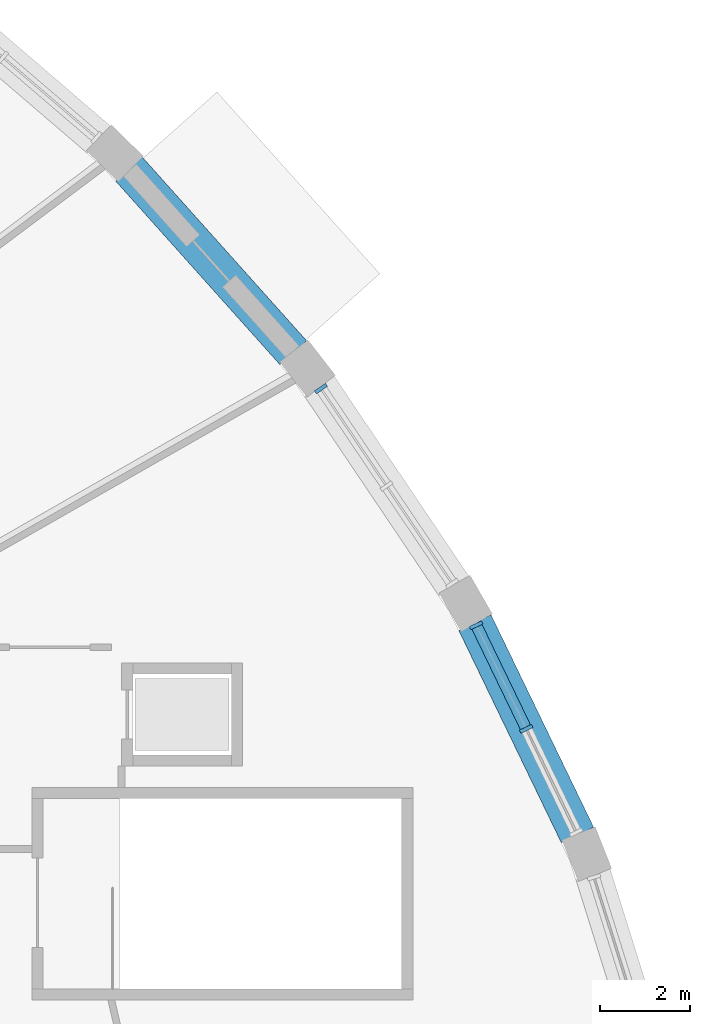
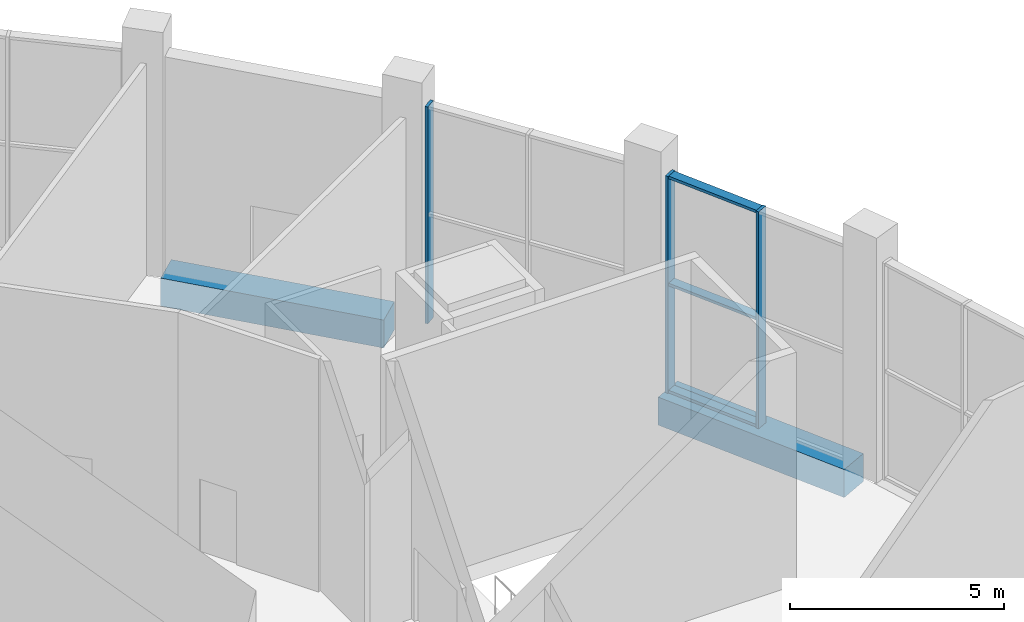
# One storey, part 14 of 33: 6 members, 2 beams, 2 elements without a shape of their own.
"""IFC4 building model written with IfcOpenShell, lengths in metres."""

from ifc_helpers import new_model, si_unit, direction, frame, origin, origin_2d, place, context, subcontext, project, spatial, rectangle, extrude, material, material_profile, profile_set, type_object, element, aggregate, save


model = new_model("IFC4")

# Units and contexts
model_context = context("Model", 3, precision=1e-05, world=origin(), true_north=direction((0.0, 1.0)))
body_context = subcontext(model_context, "Body", "Model", "MODEL_VIEW")
ifc_project = project(units=[si_unit("LENGTHUNIT", "METRE"), si_unit("AREAUNIT", "SQUARE_METRE"), si_unit("VOLUMEUNIT", "CUBIC_METRE"), si_unit("PLANEANGLEUNIT", "RADIAN"), si_unit("MASSUNIT", "GRAM", prefix="KILO")], contexts=[model_context])

# Site, building, storey
site_placement = place(None, origin())
site = spatial("IfcSite", under=ifc_project, at=site_placement, CompositionType="ELEMENT")
building_placement = place(site_placement, origin())
building = spatial("IfcBuilding", under=site, at=building_placement, Name="Halqa Exchange Tower", CompositionType="ELEMENT")
storey_placement = place(building_placement, origin())
storey = spatial("IfcBuildingStorey", under=building, at=storey_placement, Name="L00", CompositionType="ELEMENT", Elevation=0.0)

# Beams
ifc_material_1 = material(Name="Concrete C60/75", Category="concrete")
ifc_material_profile_1 = material_profile(ifc_material_1, rectangle(XDim=0.800048828125, YDim=0.800048828125, at=origin_2d()), Name="800 x 800")
ifc_profile_set_1 = profile_set([ifc_material_profile_1], Name="Concrete C60/75")
beam_type = type_object("IfcBeamType", Name="RC podium edge beam 800 x 800 C60/75", PredefinedType="SPANDREL", material=ifc_profile_set_1)
beam_1_placement = place(storey_placement, frame((50.92822265625, 15.308837890625, -0.39990234375), z_axis=(-0.43497328232, 0.9004433595, 0.0), x_axis=(-0.9004433595, -0.43497328232, 0.0)))
element("IfcBeam", 1, at=beam_1_placement, inside=storey, type_object=beam_type, Name="Podium edge beam 3", PredefinedType="SPANDREL", context=body_context, shape_type="SweptSolid", body=[
    extrude(rectangle(XDim=0.800048828125, YDim=0.800048828125, at=origin_2d()), origin(), (0.0, 0.0, 1.0), 5.267578125),
])
beam_2_placement = place(storey_placement, frame((44.58349609375, 26.075927734375, -0.39990234375), z_axis=(-0.666902525907, 0.745144966392, 0.0), x_axis=(-0.745144966392, -0.666902525907, 0.0)))
element("IfcBeam", 2, at=beam_2_placement, inside=storey, type_object=beam_type, Name="Podium edge beam 5", PredefinedType="SPANDREL", context=body_context, shape_type="SweptSolid", body=[
    extrude(rectangle(XDim=0.800048828125, YDim=0.800048828125, at=origin_2d()), origin(), (0.0, 0.0, 1.0), 5.501220703125),
])

# Curtain wall, members
ifc_material_2 = material(Name="Anodised aluminium and clear glass", Category="aluminium")
curtain_wall_type = type_object("IfcCurtainWallType", Name="Station concourse glazing", PredefinedType="NOTDEFINED", material=ifc_material_2)
curtain_wall_1_placement = place(storey_placement, origin())
curtain_wall_1 = element("IfcCurtainWall", 3, at=curtain_wall_1_placement, inside=storey, type_object=curtain_wall_type, Name="Station concourse glazing run P3", PredefinedType="NOTDEFINED")
ifc_material_3 = material(Name="Anodised aluminium", Category="aluminium")
ifc_material_profile_2 = material_profile(ifc_material_3, rectangle(XDim=0.300048828125, YDim=0.080078125, at=origin_2d()), Name="AL 80x300")
ifc_profile_set_2 = profile_set([ifc_material_profile_2], Name="Anodised aluminium")
member_type_1 = type_object("IfcMemberType", Name="Station concourse glazing mullion 80 x 300", PredefinedType="MULLION", material=ifc_profile_set_2)
member_1_placement = place(storey_placement, frame((49.78271484375, 17.680419921875, 0.0), z_axis=(0.0, 0.0, 1.0), x_axis=(-0.90043534892, -0.434989864727, 0.0)))
member_1 = element("IfcMember", 4, at=member_1_placement, type_object=member_type_1, Name="P3 mullion 2", PredefinedType="MULLION", context=body_context, shape_type="SweptSolid", body=[
    extrude(rectangle(XDim=0.300048828125, YDim=0.080078125, at=origin_2d()), origin(), (0.0, 0.0, 1.0), 6.199951171875),
])
member_2_placement = place(storey_placement, frame((48.666015625, 19.99169921875, 0.0), z_axis=(0.0, 0.0, 1.0), x_axis=(-0.90043534892, -0.434989864727, 0.0)))
member_2 = element("IfcMember", 5, at=member_2_placement, type_object=member_type_1, Name="P3 mullion 3", PredefinedType="MULLION", context=body_context, shape_type="SweptSolid", body=[
    extrude(rectangle(XDim=0.300048828125, YDim=0.080078125, at=origin_2d()), origin(), (0.0, 0.0, 1.0), 6.199951171875),
])

# Curtain wall, member
curtain_wall_2_placement = place(storey_placement, origin())
curtain_wall_2 = element("IfcCurtainWall", 6, at=curtain_wall_2_placement, inside=storey, type_object=curtain_wall_type, Name="Station concourse glazing run P4", PredefinedType="NOTDEFINED")
member_3_placement = place(storey_placement, frame((45.200927734375, 25.27490234375, 0.0), z_axis=(0.0, 0.0, 1.0), x_axis=(-0.8294895023, -0.55852230535, 0.0)))
member_3 = element("IfcMember", 7, at=member_3_placement, type_object=member_type_1, Name="P4 mullion 3", PredefinedType="MULLION", context=body_context, shape_type="SweptSolid", body=[
    extrude(rectangle(XDim=0.300048828125, YDim=0.080078125, at=origin_2d()), origin(), (0.0, 0.0, 1.0), 6.199951171875),
])
aggregate(curtain_wall_2, [member_3])

# Member
ifc_material_profile_3 = material_profile(ifc_material_3, rectangle(XDim=0.25, YDim=0.080078125, at=origin_2d()), Name="AL 80x250")
ifc_profile_set_3 = profile_set([ifc_material_profile_3], Name="Anodised aluminium")
member_type_2 = type_object("IfcMemberType", Name="Station concourse glazing transom 80 x 250", PredefinedType="USERDEFINED", material=ifc_profile_set_3)
member_4_placement = place(storey_placement, frame((49.76513671875, 17.71630859375, 0.0400390625), z_axis=(-0.434960430971, 0.900449567433, 0.0), x_axis=(-0.900449567433, -0.434960430971, 0.0)))
member_4 = element("IfcMember", 8, at=member_4_placement, type_object=member_type_2, Name="P3 transom 2.1", ObjectType="TRANSOM", PredefinedType="USERDEFINED", context=body_context, shape_type="SweptSolid", body=[
    extrude(rectangle(XDim=0.25, YDim=0.080078125, at=origin_2d()), origin(), (0.0, 0.0, 1.0), 2.487060546875),
])

member_5_placement = place(storey_placement, frame((49.76513671875, 17.71630859375, 3.10009765625), z_axis=(-0.434960430971, 0.900449567433, 0.0), x_axis=(-0.900449567433, -0.434960430971, 0.0)))
member_5 = element("IfcMember", 9, at=member_5_placement, type_object=member_type_2, Name="P3 transom 2.2", ObjectType="TRANSOM", PredefinedType="USERDEFINED", context=body_context, shape_type="SweptSolid", body=[
    extrude(rectangle(XDim=0.25, YDim=0.080078125, at=origin_2d()), origin(), (0.0, 0.0, 1.0), 2.487060546875),
])

member_6_placement = place(storey_placement, frame((49.76513671875, 17.71630859375, 6.159912109375), z_axis=(-0.434960430971, 0.900449567433, 0.0), x_axis=(-0.900449567433, -0.434960430971, 0.0)))
member_6 = element("IfcMember", 10, at=member_6_placement, type_object=member_type_2, Name="P3 transom 2.3", ObjectType="TRANSOM", PredefinedType="USERDEFINED", context=body_context, shape_type="SweptSolid", body=[
    extrude(rectangle(XDim=0.25, YDim=0.080078125, at=origin_2d()), origin(), (0.0, 0.0, 1.0), 2.487060546875),
])

aggregate(curtain_wall_1, [member_1, member_2, member_4, member_5, member_6])

save(model, "model.ifc")
